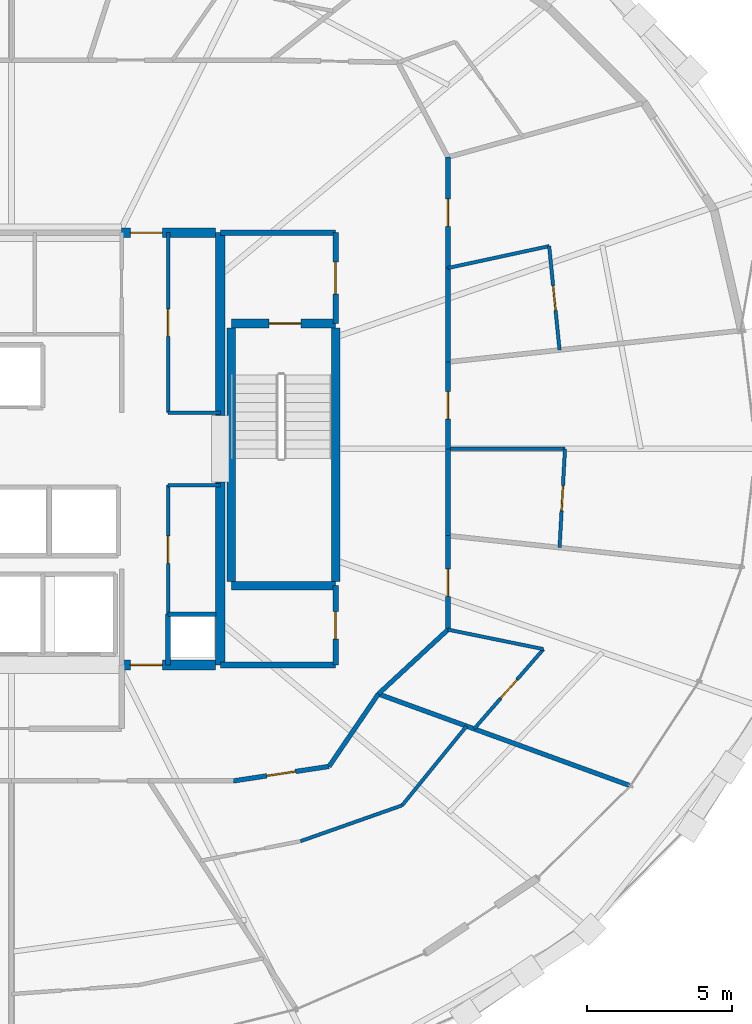
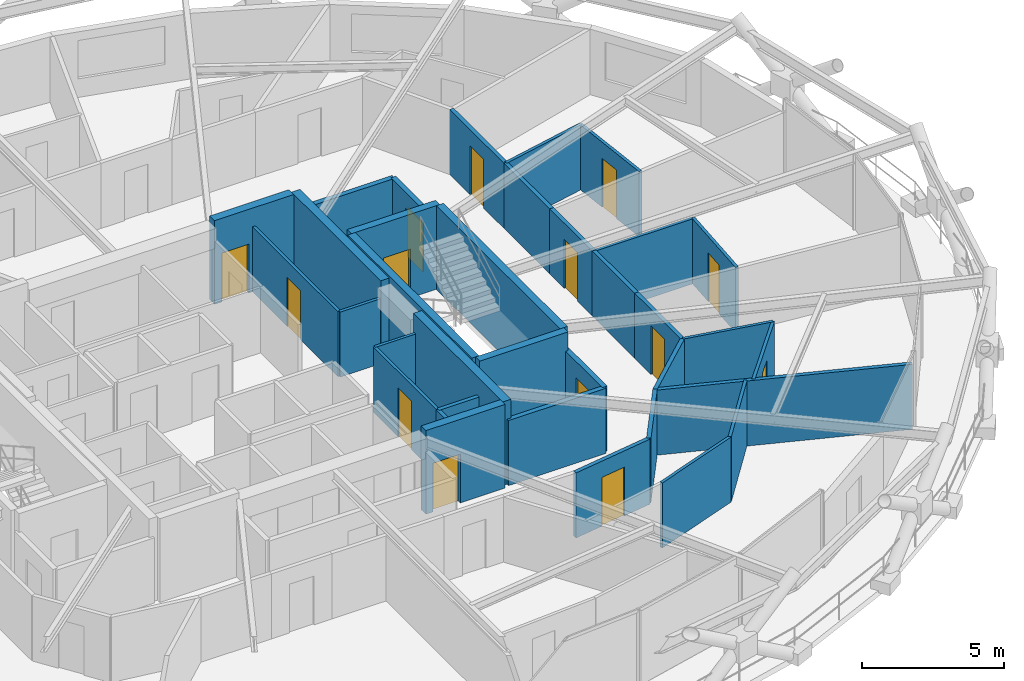
# One storey, part 16 of 19: 35 walls, 14 doors, 14 openings.
"""IFC4 building model written with IfcOpenShell, lengths in metres."""

from ifc_helpers import new_model, si_unit, direction, frame, frame_2d, origin, place, context, subcontext, project, spatial, rectangle, extrude, material, layer, layer_set, type_object, element, fill, save


model = new_model("IFC4")

# Units and contexts
model_context = context("Model", 3, precision=1e-05, world=origin(), true_north=direction((0.0, 1.0)))
body_context = subcontext(model_context, "Body", "Model", "MODEL_VIEW")
ifc_project = project(units=[si_unit("LENGTHUNIT", "METRE"), si_unit("AREAUNIT", "SQUARE_METRE"), si_unit("VOLUMEUNIT", "CUBIC_METRE"), si_unit("PLANEANGLEUNIT", "RADIAN"), si_unit("MASSUNIT", "GRAM", prefix="KILO")], contexts=[model_context])

# Site, building, storey
site_placement = place(None, origin())
site = spatial("IfcSite", under=ifc_project, at=site_placement, CompositionType="ELEMENT")
building_placement = place(site_placement, origin())
building = spatial("IfcBuilding", under=site, at=building_placement, Name="Veldorina Hangang Commons", CompositionType="ELEMENT")
storey_placement = place(building_placement, frame((0.0, 0.0, 160.39990234375)))
storey = spatial("IfcBuildingStorey", under=building, at=storey_placement, Name="L41", CompositionType="ELEMENT", Elevation=160.39990234375)

# Walls
ifc_material_1 = material(Name="Concrete C60/75", Category="concrete")
ifc_layer_1 = layer(ifc_material_1, 0.340087890625)
ifc_layer_set_1 = layer_set([ifc_layer_1], Name="Concrete C60/75")
wall_type_1 = type_object("IfcWallType", Name="CW-RC340-C60", PredefinedType="SHEAR", material=ifc_layer_set_1)
for number, where, z_axis, x_axis, name in (
    (1, (39.199951171875, 16.550048828125, 0.0), (0.0, 0.0, 1.0), (0.0, 1.0, 0.0), "L41 E south core shear wall"),
    (2, (39.199951171875, 25.14990234375, 0.0), (0.0, 0.0, 1.0), (0.0, 1.0, 0.0), "L41 E north core shear wall"),
):
    element("IfcWall", number, at=place(storey_placement, frame(where, z_axis=z_axis, x_axis=x_axis)), inside=storey, type_object=wall_type_1, Name=name, PredefinedType="SHEAR", context=body_context, shape_type="SweptSolid", body=[
        extrude(rectangle(XDim=6.300048828125, YDim=0.340087890625, at=frame_2d((3.14990234375, 0.0))), origin(), (0.0, 0.0, 1.0), 3.60009765625),
    ])

# Wall, opening, door
wall_1_placement = place(storey_placement, frame((35.800048828125, 16.550048828125, 0.0), z_axis=(0.0, 0.0, 1.0), x_axis=(1.0, 0.0, 0.0)))
wall_1 = element("IfcWall", 3, at=wall_1_placement, inside=storey, type_object=wall_type_1, Name="L41 south-east core shear wall", PredefinedType="SHEAR", context=body_context, shape_type="SweptSolid", body=[
    extrude(rectangle(XDim=3.22998046875, YDim=0.340087890625, at=frame_2d((1.614990234375, 0.0))), origin(), (0.0, 0.0, 1.0), 3.60009765625),
])
opening_1_placement = place(wall_1_placement, frame((0.300048828125, 0.0, 0.0)))
opening_1 = element("IfcOpeningElement", 4, at=opening_1_placement, cuts=wall_1, Name="Opening D-08", PredefinedType="OPENING", context=body_context, shape_type="SweptSolid", body=[
    extrude(rectangle(XDim=1.10009765625, YDim=2.10009765625, at=frame_2d((0.550048828125, 1.050048828125))), frame((0.0, 0.18017578125, 0.0), z_axis=(0.0, -1.0, 0.0), x_axis=(1.0, 0.0, 0.0)), (0.0, 0.0, 1.0), 0.360107421875),
])
ifc_material_2 = material(Name="Steel Fire-Rated Smoke Seal", Category="steel")
door_type_1 = type_object("IfcDoorType", Name="DR-FIRE-1100", OperationType="SINGLE_SWING_RIGHT", PredefinedType="DOOR", material=ifc_material_2)
door_1_placement = place(opening_1_placement, origin())
door_1 = element("IfcDoor", 5, at=door_1_placement, inside=storey, type_object=door_type_1, Name="L41 central lift lobby south corridor door", OperationType="SINGLE_SWING_RIGHT", OverallHeight=2.10009765625, OverallWidth=1.10009765625, PredefinedType="DOOR", context=body_context, shape_type="SweptSolid", body=[
    extrude(rectangle(XDim=1.10009765625, YDim=2.10009765625, at=frame_2d((0.550048828125, 1.050048828125))), frame((0.0, 0.02490234375, 0.0), z_axis=(0.0, -1.0, 0.0), x_axis=(1.0, 0.0, 0.0)), (0.0, 0.0, 1.0), 0.050048828125),
])
fill(opening_1, door_1)

wall_2_placement = place(storey_placement, frame((35.800048828125, 31.449951171875, 0.0), z_axis=(0.0, 0.0, 1.0), x_axis=(1.0, 0.0, 0.0)))
wall_2 = element("IfcWall", 6, at=wall_2_placement, inside=storey, type_object=wall_type_1, Name="L41 north-east core shear wall", PredefinedType="SHEAR", context=body_context, shape_type="SweptSolid", body=[
    extrude(rectangle(XDim=3.22998046875, YDim=0.340087890625, at=frame_2d((1.614990234375, 0.0))), origin(), (0.0, 0.0, 1.0), 3.60009765625),
])
opening_2_placement = place(wall_2_placement, frame((0.300048828125, 0.0, 0.0)))
opening_2 = element("IfcOpeningElement", 7, at=opening_2_placement, cuts=wall_2, Name="Opening D-08", PredefinedType="OPENING", context=body_context, shape_type="SweptSolid", body=[
    extrude(rectangle(XDim=1.10009765625, YDim=2.10009765625, at=frame_2d((0.550048828125, 1.050048828125))), frame((0.0, 0.18017578125, 0.0), z_axis=(0.0, -1.0, 0.0), x_axis=(1.0, 0.0, 0.0)), (0.0, 0.0, 1.0), 0.360107421875),
])
door_2_placement = place(opening_2_placement, origin())
door_2 = element("IfcDoor", 8, at=door_2_placement, inside=storey, type_object=door_type_1, Name="L41 central lift lobby north corridor door", OperationType="SINGLE_SWING_LEFT", OverallHeight=2.10009765625, OverallWidth=1.10009765625, PredefinedType="DOOR", context=body_context, shape_type="SweptSolid", body=[
    extrude(rectangle(XDim=1.10009765625, YDim=2.10009765625, at=frame_2d((0.550048828125, 1.050048828125))), frame((0.0, 0.02490234375, 0.0), z_axis=(0.0, -1.0, 0.0), x_axis=(1.0, 0.0, 0.0)), (0.0, 0.0, 1.0), 0.050048828125),
])
fill(opening_2, door_2)

# Walls
ifc_material_3 = material(Name="Concrete C50/60", Category="concrete")
ifc_layer_2 = layer(ifc_material_3, 0.300048828125)
ifc_layer_set_2 = layer_set([ifc_layer_2], Name="Concrete C50/60")
wall_type_2 = type_object("IfcWallType", Name="SW-STAIR-300", PredefinedType="SHEAR", material=ifc_layer_set_2)
for number, where, z_axis, x_axis, name in (
    (9, (43.179931640625, 19.429931640625, 0.0), (0.0, 0.0, 1.0), (0.0, 1.0, 0.0), "L41 ST2 outer stair shear wall"),
    (10, (39.580078125, 19.429931640625, 0.0), (0.0, 0.0, 1.0), (0.0, 1.0, 0.0), "L41 ST2 inner stair shear wall"),
):
    element("IfcWall", number, at=place(storey_placement, frame(where, z_axis=z_axis, x_axis=x_axis)), inside=storey, type_object=wall_type_2, Name=name, PredefinedType="SHEAR", context=body_context, shape_type="SweptSolid", body=[
        extrude(rectangle(XDim=8.739990234375, YDim=0.300048828125, at=frame_2d((4.3701171875, 0.0))), origin(), (0.0, 0.0, 1.0), 3.60009765625),
    ])
wall_3_placement = place(storey_placement, frame((39.580078125, 19.280029296875, 0.0), z_axis=(0.0, 0.0, 1.0), x_axis=(1.0, 0.0, 0.0)))
element("IfcWall", 11, at=wall_3_placement, inside=storey, type_object=wall_type_2, Name="L41 ST2 south stair shear wall", PredefinedType="SHEAR", context=body_context, shape_type="SweptSolid", body=[
    extrude(rectangle(XDim=3.599853515625, YDim=0.300048828125, at=frame_2d((1.7998046875, 0.0))), origin(), (0.0, 0.0, 1.0), 3.60009765625),
])

# Wall, opening, door
wall_4_placement = place(storey_placement, frame((39.580078125, 28.320068359375, 0.0), z_axis=(0.0, 0.0, 1.0), x_axis=(1.0, 0.0, 0.0)))
wall_4 = element("IfcWall", 12, at=wall_4_placement, inside=storey, type_object=wall_type_2, Name="L41 ST2 north stair shear wall", PredefinedType="SHEAR", context=body_context, shape_type="SweptSolid", body=[
    extrude(rectangle(XDim=3.599853515625, YDim=0.300048828125, at=frame_2d((1.7998046875, 0.0))), origin(), (0.0, 0.0, 1.0), 3.60009765625),
])
opening_3_placement = place(wall_4_placement, frame((1.300048828125, 0.0, 0.0)))
opening_3 = element("IfcOpeningElement", 13, at=opening_3_placement, cuts=wall_4, Name="Opening D-08", PredefinedType="OPENING", context=body_context, shape_type="SweptSolid", body=[
    extrude(rectangle(XDim=1.10009765625, YDim=2.10009765625, at=frame_2d((0.550048828125, 1.050048828125))), frame((0.0, 0.16015625, 0.0), z_axis=(0.0, -1.0, 0.0), x_axis=(1.0, 0.0, 0.0)), (0.0, 0.0, 1.0), 0.320068359375),
])
door_3_placement = place(opening_3_placement, origin())
door_3 = element("IfcDoor", 14, at=door_3_placement, inside=storey, type_object=door_type_1, Name="L41 Special Escape Stair ST-2 door", OperationType="SINGLE_SWING_RIGHT", OverallHeight=2.10009765625, OverallWidth=1.10009765625, PredefinedType="DOOR", context=body_context, shape_type="SweptSolid", body=[
    extrude(rectangle(XDim=1.10009765625, YDim=2.10009765625, at=frame_2d((0.550048828125, 1.050048828125))), frame((0.0, 0.02490234375, 0.0), z_axis=(0.0, -1.0, 0.0), x_axis=(1.0, 0.0, 0.0)), (0.0, 0.0, 1.0), 0.050048828125),
])
fill(opening_3, door_3)

# Walls
ifc_material_4 = material(Name="Gypsum Fire-Rated Twin Stud Wall", Category="gypsum")
ifc_layer_3 = layer(ifc_material_4, 0.159912109375)
ifc_layer_set_3 = layer_set([ifc_layer_3], Name="Gypsum Fire-Rated Twin Stud Wall")
wall_type_3 = type_object("IfcWallType", Name="WL-FIRE-160", PredefinedType="SOLIDWALL", material=ifc_layer_set_3)
wall_5_placement = place(storey_placement, frame((37.39990234375, 16.550048828125, 0.0), z_axis=(0.0, 0.0, 1.0), x_axis=(0.0, 1.0, 0.0)))
element("IfcWall", 15, at=wall_5_placement, inside=storey, type_object=wall_type_3, Name="L41 Lift passage SE stub 010", PredefinedType="SOLIDWALL", context=body_context, shape_type="SweptSolid", body=[
    extrude(rectangle(XDim=1.75, YDim=0.159912109375, at=frame_2d((0.875, 0.0))), origin(), (0.0, 0.0, 1.0), 2.800048828125),
])
wall_6_placement = place(storey_placement, frame((37.39990234375, 18.300048828125, 0.0), z_axis=(0.0, 0.0, 1.0), x_axis=(1.0, 0.0, 0.0)))
element("IfcWall", 16, at=wall_6_placement, inside=storey, type_object=wall_type_3, Name="L41 Plumbing riser wall 037", PredefinedType="SOLIDWALL", context=body_context, shape_type="SweptSolid", body=[
    extrude(rectangle(XDim=1.650146484375, YDim=0.159912109375, at=frame_2d((0.8251953125, 0.0))), origin(), (0.0, 0.0, 1.0), 2.800048828125),
])

# Wall, opening, door
wall_7_placement = place(storey_placement, frame((47.050048828125, 24.0, 0.0), z_axis=(0.0, 0.0, 1.0), x_axis=(0.0, 1.0, 0.0)))
wall_7 = element("IfcWall", 17, at=wall_7_placement, inside=storey, type_object=wall_type_3, Name="L41 U-corridor outer wall 00 048", PredefinedType="SOLIDWALL", context=body_context, shape_type="SweptSolid", body=[
    extrude(rectangle(XDim=2.99365234375, YDim=0.159912109375, at=frame_2d((1.496826171875, 0.0))), origin(), (0.0, 0.0, 1.0), 2.800048828125),
])
opening_4_placement = place(wall_7_placement, frame((1.021728515625, 0.0, 0.0)))
opening_4 = element("IfcOpeningElement", 18, at=opening_4_placement, cuts=wall_7, Name="Opening D-03", PredefinedType="OPENING", context=body_context, shape_type="SweptSolid", body=[
    extrude(rectangle(XDim=0.949951171875, YDim=2.10009765625, at=frame_2d((0.47509765625, 1.050048828125))), frame((0.0, 0.08984375, 0.0), z_axis=(0.0, -1.0, 0.0), x_axis=(1.0, 0.0, 0.0)), (0.0, 0.0, 1.0), 0.179931640625),
])
ifc_material_5 = material(Name="Timber Fire-Rated Entrance Core", Category="wood")
door_type_2 = type_object("IfcDoorType", Name="DR-UNIT-950", OperationType="SINGLE_SWING_RIGHT", PredefinedType="DOOR", material=ifc_material_5)
door_4_placement = place(opening_4_placement, origin())
door_4 = element("IfcDoor", 19, at=door_4_placement, inside=storey, type_object=door_type_2, Name="L41 Studio 3 entrance door 025", OperationType="SINGLE_SWING_LEFT", OverallHeight=2.10009765625, OverallWidth=0.949951171875, PredefinedType="DOOR", context=body_context, shape_type="SweptSolid", body=[
    extrude(rectangle(XDim=0.949951171875, YDim=2.10009765625, at=frame_2d((0.47509765625, 1.050048828125))), frame((0.0, 0.02490234375, 0.0), z_axis=(0.0, -1.0, 0.0), x_axis=(1.0, 0.0, 0.0)), (0.0, 0.0, 1.0), 0.050048828125),
])
fill(opening_4, door_4)

# Wall
wall_8_placement = place(storey_placement, frame((47.050048828125, 26.99365234375, 0.0), z_axis=(0.0, 0.0, 1.0), x_axis=(0.0, 1.0, 0.0)))
element("IfcWall", 20, at=wall_8_placement, inside=storey, type_object=wall_type_3, Name="L41 U-corridor outer wall 01 049", PredefinedType="SOLIDWALL", context=body_context, shape_type="SweptSolid", body=[
    extrude(rectangle(XDim=3.240234375, YDim=0.159912109375, at=frame_2d((1.6201171875, 0.0))), origin(), (0.0, 0.0, 1.0), 2.800048828125),
])

# Wall, opening, door
wall_9_placement = place(storey_placement, frame((47.050048828125, 30.23388671875, 0.0), z_axis=(0.0, 0.0, 1.0), x_axis=(0.0, 1.0, 0.0)))
wall_9 = element("IfcWall", 21, at=wall_9_placement, inside=storey, type_object=wall_type_3, Name="L41 U-corridor outer wall 02 050", PredefinedType="SOLIDWALL", context=body_context, shape_type="SweptSolid", body=[
    extrude(rectangle(XDim=3.822265625, YDim=0.159912109375, at=frame_2d((1.9111328125, 0.0))), origin(), (0.0, 0.0, 1.0), 2.800048828125),
])
opening_5_placement = place(wall_9_placement, frame((1.43603515625, 0.0, 0.0)))
opening_5 = element("IfcOpeningElement", 22, at=opening_5_placement, cuts=wall_9, Name="Opening D-03", PredefinedType="OPENING", context=body_context, shape_type="SweptSolid", body=[
    extrude(rectangle(XDim=0.949951171875, YDim=2.10009765625, at=frame_2d((0.47509765625, 1.050048828125))), frame((0.0, 0.08984375, 0.0), z_axis=(0.0, -1.0, 0.0), x_axis=(1.0, 0.0, 0.0)), (0.0, 0.0, 1.0), 0.179931640625),
])
door_5_placement = place(opening_5_placement, origin())
door_5 = element("IfcDoor", 23, at=door_5_placement, inside=storey, type_object=door_type_2, Name="L41 Studio 4 entrance door 027", OperationType="SINGLE_SWING_LEFT", OverallHeight=2.10009765625, OverallWidth=0.949951171875, PredefinedType="DOOR", context=body_context, shape_type="SweptSolid", body=[
    extrude(rectangle(XDim=0.949951171875, YDim=2.10009765625, at=frame_2d((0.47509765625, 1.050048828125))), frame((0.0, 0.02490234375, 0.0), z_axis=(0.0, -1.0, 0.0), x_axis=(1.0, 0.0, 0.0)), (0.0, 0.0, 1.0), 0.050048828125),
])
fill(opening_5, door_5)

wall_10_placement = place(storey_placement, frame((39.650634765625, 12.550048828125, 0.0), z_axis=(0.0, 0.0, 1.0), x_axis=(0.988710906508, 0.149835721217, 0.0)))
wall_10 = element("IfcWall", 24, at=wall_10_placement, inside=storey, type_object=wall_type_3, Name="L41 U-corridor outer wall 27 075", PredefinedType="SOLIDWALL", context=body_context, shape_type="SweptSolid", body=[
    extrude(rectangle(XDim=3.3369140625, YDim=0.159912109375, at=frame_2d((1.66845703125, 0.0))), origin(), (0.0, 0.0, 1.0), 2.800048828125),
])
opening_6_placement = place(wall_10_placement, frame((1.16845703125, 0.0, 0.0)))
opening_6 = element("IfcOpeningElement", 25, at=opening_6_placement, cuts=wall_10, Name="Opening D-05", PredefinedType="OPENING", context=body_context, shape_type="SweptSolid", body=[
    extrude(rectangle(XDim=1.0, YDim=2.10009765625, at=frame_2d((0.5, 1.050048828125))), frame((0.0, 0.08984375, 0.0), z_axis=(0.0, -1.0, 0.0), x_axis=(1.0, 0.0, 0.0)), (0.0, 0.0, 1.0), 0.179931640625),
])
ifc_material_6 = material(Name="Timber Solid Core Acoustic", Category="wood")
door_type_3 = type_object("IfcDoorType", Name="DR-INT-1000", OperationType="SINGLE_SWING_RIGHT", PredefinedType="DOOR", material=ifc_material_6)
door_6_placement = place(opening_6_placement, origin())
door_6 = element("IfcDoor", 26, at=door_6_placement, inside=storey, type_object=door_type_3, Name="L41 Commons alcove door 020", OperationType="SINGLE_SWING_RIGHT", OverallHeight=2.10009765625, OverallWidth=1.0, PredefinedType="DOOR", context=body_context, shape_type="SweptSolid", body=[
    extrude(rectangle(XDim=1.0, YDim=2.10009765625, at=frame_2d((0.5, 1.050048828125))), frame((0.0, 0.02490234375, 0.0), z_axis=(0.0, -1.0, 0.0), x_axis=(1.0, 0.0, 0.0)), (0.0, 0.0, 1.0), 0.050048828125),
])
fill(opening_6, door_6)

# Walls
wall_11_placement = place(storey_placement, frame((42.949951171875, 13.050048828125, 0.0), z_axis=(0.0, 0.0, 1.0), x_axis=(0.562674669208, 0.826678423955, 0.0)))
element("IfcWall", 27, at=wall_11_placement, inside=storey, type_object=wall_type_3, Name="L41 U-corridor outer wall 28 076", PredefinedType="SOLIDWALL", context=body_context, shape_type="SweptSolid", body=[
    extrude(rectangle(XDim=3.021240234375, YDim=0.159912109375, at=frame_2d((1.5107421875, 0.0))), origin(), (0.0, 0.0, 1.0), 2.800048828125),
])
wall_12_placement = place(storey_placement, frame((44.64990234375, 15.547607421875, 0.0), z_axis=(0.0, 0.0, 1.0), x_axis=(0.734347936521, 0.678773237633, 0.0)))
element("IfcWall", 28, at=wall_12_placement, inside=storey, type_object=wall_type_3, Name="L41 U-corridor outer wall 29 077", PredefinedType="SOLIDWALL", context=body_context, shape_type="SweptSolid", body=[
    extrude(rectangle(XDim=3.268310546875, YDim=0.159912109375, at=frame_2d((1.63427734375, 0.0))), origin(), (0.0, 0.0, 1.0), 2.800048828125),
])

# Wall, opening, door
wall_13_placement = place(storey_placement, frame((47.050048828125, 17.76611328125, 0.0), z_axis=(0.0, 0.0, 1.0), x_axis=(0.0, 1.0, 0.0)))
wall_13 = element("IfcWall", 29, at=wall_13_placement, inside=storey, type_object=wall_type_3, Name="L41 U-corridor outer wall 30 078", PredefinedType="SOLIDWALL", context=body_context, shape_type="SweptSolid", body=[
    extrude(rectangle(XDim=3.240234375, YDim=0.159912109375, at=frame_2d((1.6201171875, 0.0))), origin(), (0.0, 0.0, 1.0), 2.800048828125),
])
opening_7_placement = place(wall_13_placement, frame((1.145263671875, 0.0, 0.0)))
opening_7 = element("IfcOpeningElement", 30, at=opening_7_placement, cuts=wall_13, Name="Opening D-03", PredefinedType="OPENING", context=body_context, shape_type="SweptSolid", body=[
    extrude(rectangle(XDim=0.949951171875, YDim=2.10009765625, at=frame_2d((0.47509765625, 1.050048828125))), frame((0.0, 0.08984375, 0.0), z_axis=(0.0, -1.0, 0.0), x_axis=(1.0, 0.0, 0.0)), (0.0, 0.0, 1.0), 0.179931640625),
])
door_7_placement = place(opening_7_placement, origin())
door_7 = element("IfcDoor", 31, at=door_7_placement, inside=storey, type_object=door_type_2, Name="L41 Studio 2 entrance door 023", OperationType="SINGLE_SWING_LEFT", OverallHeight=2.10009765625, OverallWidth=0.949951171875, PredefinedType="DOOR", context=body_context, shape_type="SweptSolid", body=[
    extrude(rectangle(XDim=0.949951171875, YDim=2.10009765625, at=frame_2d((0.47509765625, 1.050048828125))), frame((0.0, 0.02490234375, 0.0), z_axis=(0.0, -1.0, 0.0), x_axis=(1.0, 0.0, 0.0)), (0.0, 0.0, 1.0), 0.050048828125),
])
fill(opening_7, door_7)

# Walls
wall_14_placement = place(storey_placement, frame((47.050048828125, 21.00634765625, 0.0), z_axis=(0.0, 0.0, 1.0), x_axis=(0.0, 1.0, 0.0)))
element("IfcWall", 32, at=wall_14_placement, inside=storey, type_object=wall_type_3, Name="L41 U-corridor outer wall 31 079", PredefinedType="SOLIDWALL", context=body_context, shape_type="SweptSolid", body=[
    extrude(rectangle(XDim=2.99365234375, YDim=0.159912109375, at=frame_2d((1.496826171875, 0.0))), origin(), (0.0, 0.0, 1.0), 2.800048828125),
])
wall_15_placement = place(storey_placement, frame((44.64990234375, 15.547607421875, 0.0), z_axis=(0.0, 0.0, 1.0), x_axis=(0.93962985892, -0.342192530934, 0.0)))
element("IfcWall", 33, at=wall_15_placement, inside=storey, type_object=wall_type_3, Name="L41 Unit party wall 29 084", PredefinedType="SOLIDWALL", context=body_context, shape_type="SweptSolid", body=[
    extrude(rectangle(XDim=9.201416015625, YDim=0.159912109375, at=frame_2d((4.6005859375, 0.0))), origin(), (0.0, 0.0, 1.0), 2.800048828125),
])

# Wall, opening, door
ifc_material_7 = material(Name="Concrete Blockwork Fire Wall C30/37", Category="masonry")
ifc_layer_4 = layer(ifc_material_7, 0.199951171875)
ifc_layer_set_4 = layer_set([ifc_layer_4], Name="Concrete Blockwork Fire Wall C30/37")
wall_type_4 = type_object("IfcWallType", Name="WL-FIRE-200", PredefinedType="SOLIDWALL", material=ifc_layer_set_4)
wall_16_placement = place(storey_placement, frame((43.179931640625, 28.320068359375, 0.0), z_axis=(0.0, 0.0, 1.0), x_axis=(0.0, 1.0, 0.0)))
wall_16 = element("IfcWall", 34, at=wall_16_placement, inside=storey, type_object=wall_type_4, Name="L41 East vestibule outer wall 003", PredefinedType="SOLIDWALL", context=body_context, shape_type="SweptSolid", body=[
    extrude(rectangle(XDim=3.1298828125, YDim=0.199951171875, at=frame_2d((1.56494140625, 0.0))), origin(), (0.0, 0.0, 1.0), 2.800048828125),
])
opening_8_placement = place(wall_16_placement, frame((1.014892578125, 0.0, 0.0)))
opening_8 = element("IfcOpeningElement", 35, at=opening_8_placement, cuts=wall_16, Name="Opening D-08", PredefinedType="OPENING", context=body_context, shape_type="SweptSolid", body=[
    extrude(rectangle(XDim=1.10009765625, YDim=2.10009765625, at=frame_2d((0.550048828125, 1.050048828125))), frame((0.0, 0.10986328125, 0.0), z_axis=(0.0, -1.0, 0.0), x_axis=(1.0, 0.0, 0.0)), (0.0, 0.0, 1.0), 0.219970703125),
])
door_8_placement = place(opening_8_placement, origin())
door_8 = element("IfcDoor", 36, at=door_8_placement, inside=storey, type_object=door_type_1, Name="L41 East vestibule east door 002", OperationType="SINGLE_SWING_RIGHT", OverallHeight=2.10009765625, OverallWidth=1.10009765625, PredefinedType="DOOR", context=body_context, shape_type="SweptSolid", body=[
    extrude(rectangle(XDim=1.10009765625, YDim=2.10009765625, at=frame_2d((0.550048828125, 1.050048828125))), frame((0.0, 0.02490234375, 0.0), z_axis=(0.0, -1.0, 0.0), x_axis=(1.0, 0.0, 0.0)), (0.0, 0.0, 1.0), 0.050048828125),
])
fill(opening_8, door_8)

# Wall
wall_17_placement = place(storey_placement, frame((39.199951171875, 31.449951171875, 0.0), z_axis=(0.0, 0.0, 1.0), x_axis=(1.0, 0.0, 0.0)))
element("IfcWall", 37, at=wall_17_placement, inside=storey, type_object=wall_type_4, Name="L41 East vestibule north wall 004", PredefinedType="SOLIDWALL", context=body_context, shape_type="SweptSolid", body=[
    extrude(rectangle(XDim=3.97998046875, YDim=0.199951171875, at=frame_2d((1.989990234375, 0.0))), origin(), (0.0, 0.0, 1.0), 2.800048828125),
])

# Wall, opening, door
wall_18_placement = place(storey_placement, frame((43.179931640625, 16.550048828125, 0.0), z_axis=(0.0, 0.0, 1.0), x_axis=(0.0, 1.0, 0.0)))
wall_18 = element("IfcWall", 38, at=wall_18_placement, inside=storey, type_object=wall_type_4, Name="L41 SE core room outer wall 007", PredefinedType="SOLIDWALL", context=body_context, shape_type="SweptSolid", body=[
    extrude(rectangle(XDim=2.72998046875, YDim=0.199951171875, at=frame_2d((1.364990234375, 0.0))), origin(), (0.0, 0.0, 1.0), 2.800048828125),
])
opening_9_placement = place(wall_18_placement, frame((0.889892578125, 0.0, 0.0)))
opening_9 = element("IfcOpeningElement", 39, at=opening_9_placement, cuts=wall_18, Name="Opening D-02", PredefinedType="OPENING", context=body_context, shape_type="SweptSolid", body=[
    extrude(rectangle(XDim=0.949951171875, YDim=2.10009765625, at=frame_2d((0.47509765625, 1.050048828125))), frame((0.0, 0.10986328125, 0.0), z_axis=(0.0, -1.0, 0.0), x_axis=(1.0, 0.0, 0.0)), (0.0, 0.0, 1.0), 0.219970703125),
])
door_type_4 = type_object("IfcDoorType", Name="DR-INT-950", OperationType="SINGLE_SWING_LEFT", PredefinedType="DOOR", material=ifc_material_6)
door_9_placement = place(opening_9_placement, origin())
door_9 = element("IfcDoor", 40, at=door_9_placement, inside=storey, type_object=door_type_4, Name="L41 SE core WC door 004", OperationType="SINGLE_SWING_RIGHT", OverallHeight=2.10009765625, OverallWidth=0.949951171875, PredefinedType="DOOR", context=body_context, shape_type="SweptSolid", body=[
    extrude(rectangle(XDim=0.949951171875, YDim=2.10009765625, at=frame_2d((0.47509765625, 1.050048828125))), frame((0.0, 0.02490234375, 0.0), z_axis=(0.0, -1.0, 0.0), x_axis=(1.0, 0.0, 0.0)), (0.0, 0.0, 1.0), 0.050048828125),
])
fill(opening_9, door_9)

# Wall
wall_19_placement = place(storey_placement, frame((39.199951171875, 16.550048828125, 0.0), z_axis=(0.0, 0.0, 1.0), x_axis=(1.0, 0.0, 0.0)))
element("IfcWall", 41, at=wall_19_placement, inside=storey, type_object=wall_type_4, Name="L41 SE core room south wall 008", PredefinedType="SOLIDWALL", context=body_context, shape_type="SweptSolid", body=[
    extrude(rectangle(XDim=3.97998046875, YDim=0.199951171875, at=frame_2d((1.989990234375, 0.0))), origin(), (0.0, 0.0, 1.0), 2.800048828125),
])

# Wall, opening, door
ifc_material_8 = material(Name="Gypsum Acoustic Stud Partition", Category="gypsum")
ifc_layer_5 = layer(ifc_material_8, 0.1201171875)
ifc_layer_set_5 = layer_set([ifc_layer_5], Name="Gypsum Acoustic Stud Partition")
wall_type_5 = type_object("IfcWallType", Name="WL-PART-120", PredefinedType="PARTITIONING", material=ifc_layer_set_5)
wall_20_placement = place(storey_placement, frame((37.39990234375, 25.25, 0.0), z_axis=(0.0, 0.0, 1.0), x_axis=(0.0, 1.0, 0.0)))
wall_20 = element("IfcWall", 42, at=wall_20_placement, inside=storey, type_object=wall_type_5, Name="L41 NE strip lobby wall 041", PredefinedType="PARTITIONING", context=body_context, shape_type="SweptSolid", body=[
    extrude(rectangle(XDim=6.199951171875, YDim=0.1201171875, at=frame_2d((3.10009765625, 0.0))), origin(), (0.0, 0.0, 1.0), 2.800048828125),
])
opening_10_placement = place(wall_20_placement, frame((2.625, 0.0, 0.0)))
opening_10 = element("IfcOpeningElement", 43, at=opening_10_placement, cuts=wall_20, Name="Opening D-02", PredefinedType="OPENING", context=body_context, shape_type="SweptSolid", body=[
    extrude(rectangle(XDim=0.949951171875, YDim=2.10009765625, at=frame_2d((0.47509765625, 1.050048828125))), frame((0.0, 0.070068359375, 0.0), z_axis=(0.0, -1.0, 0.0), x_axis=(1.0, 0.0, 0.0)), (0.0, 0.0, 1.0), 0.14013671875),
])
door_10_placement = place(opening_10_placement, origin())
door_10 = element("IfcDoor", 44, at=door_10_placement, inside=storey, type_object=door_type_4, Name="L41 Switchboard door 018", OperationType="SINGLE_SWING_RIGHT", OverallHeight=2.10009765625, OverallWidth=0.949951171875, PredefinedType="DOOR", context=body_context, shape_type="SweptSolid", body=[
    extrude(rectangle(XDim=0.949951171875, YDim=2.10009765625, at=frame_2d((0.47509765625, 1.050048828125))), frame((0.0, 0.02490234375, 0.0), z_axis=(0.0, -1.0, 0.0), x_axis=(1.0, 0.0, 0.0)), (0.0, 0.0, 1.0), 0.050048828125),
])
fill(opening_10, door_10)

# Wall
wall_21_placement = place(storey_placement, frame((37.39990234375, 25.25, 0.0), z_axis=(0.0, 0.0, 1.0), x_axis=(1.0, 0.0, 0.0)))
element("IfcWall", 45, at=wall_21_placement, inside=storey, type_object=wall_type_5, Name="L41 NE strip south return wall 042", PredefinedType="PARTITIONING", context=body_context, shape_type="SweptSolid", body=[
    extrude(rectangle(XDim=1.800048828125, YDim=0.1201171875, at=frame_2d((0.89990234375, 0.0))), origin(), (0.0, 0.0, 1.0), 2.800048828125),
])

# Wall, opening, door
wall_22_placement = place(storey_placement, frame((37.39990234375, 18.300048828125, 0.0), z_axis=(0.0, 0.0, 1.0), x_axis=(0.0, 1.0, 0.0)))
wall_22 = element("IfcWall", 46, at=wall_22_placement, inside=storey, type_object=wall_type_5, Name="L41 SE strip lobby wall 043", PredefinedType="PARTITIONING", context=body_context, shape_type="SweptSolid", body=[
    extrude(rectangle(XDim=4.449951171875, YDim=0.1201171875, at=frame_2d((2.22509765625, 0.0))), origin(), (0.0, 0.0, 1.0), 2.800048828125),
])
opening_11_placement = place(wall_22_placement, frame((1.75, 0.0, 0.0)))
opening_11 = element("IfcOpeningElement", 47, at=opening_11_placement, cuts=wall_22, Name="Opening D-02", PredefinedType="OPENING", context=body_context, shape_type="SweptSolid", body=[
    extrude(rectangle(XDim=0.949951171875, YDim=2.10009765625, at=frame_2d((0.47509765625, 1.050048828125))), frame((0.0, 0.070068359375, 0.0), z_axis=(0.0, -1.0, 0.0), x_axis=(1.0, 0.0, 0.0)), (0.0, 0.0, 1.0), 0.14013671875),
])
door_11_placement = place(opening_11_placement, origin())
door_11 = element("IfcDoor", 48, at=door_11_placement, inside=storey, type_object=door_type_4, Name="L41 Telemetry door 019", OperationType="SINGLE_SWING_LEFT", OverallHeight=2.10009765625, OverallWidth=0.949951171875, PredefinedType="DOOR", context=body_context, shape_type="SweptSolid", body=[
    extrude(rectangle(XDim=0.949951171875, YDim=2.10009765625, at=frame_2d((0.47509765625, 1.050048828125))), frame((0.0, 0.02490234375, 0.0), z_axis=(0.0, -1.0, 0.0), x_axis=(1.0, 0.0, 0.0)), (0.0, 0.0, 1.0), 0.050048828125),
])
fill(opening_11, door_11)

# Walls
wall_23_placement = place(storey_placement, frame((37.39990234375, 22.75, 0.0), z_axis=(0.0, 0.0, 1.0), x_axis=(1.0, 0.0, 0.0)))
element("IfcWall", 49, at=wall_23_placement, inside=storey, type_object=wall_type_5, Name="L41 SE strip north return wall 044", PredefinedType="PARTITIONING", context=body_context, shape_type="SweptSolid", body=[
    extrude(rectangle(XDim=1.800048828125, YDim=0.1201171875, at=frame_2d((0.89990234375, 0.0))), origin(), (0.0, 0.0, 1.0), 2.800048828125),
])
wall_24_placement = place(storey_placement, frame((41.964111328125, 10.4716796875, 0.0), z_axis=(0.0, 0.0, 1.0), x_axis=(0.943167221186, 0.33231851119, 0.0)))
element("IfcWall", 50, at=wall_24_placement, inside=storey, type_object=wall_type_5, Name="L41 Lounge alcove split 1 082", PredefinedType="PARTITIONING", context=body_context, shape_type="SweptSolid", body=[
    extrude(rectangle(XDim=3.71728515625, YDim=0.1201171875, at=frame_2d((1.858642578125, 0.0))), origin(), (0.0, 0.0, 1.0), 2.800048828125),
])
wall_25_placement = place(storey_placement, frame((45.47021484375, 11.70703125, 0.0), z_axis=(0.0, 0.0, 1.0), x_axis=(0.630947475779, 0.775825549211, 0.0)))
element("IfcWall", 51, at=wall_25_placement, inside=storey, type_object=wall_type_5, Name="L41 Lounge alcove split 2 083", PredefinedType="PARTITIONING", context=body_context, shape_type="SweptSolid", body=[
    extrude(rectangle(XDim=3.52197265625, YDim=0.1201171875, at=frame_2d((1.760986328125, 0.0))), origin(), (0.0, 0.0, 1.0), 2.800048828125),
])

# Wall, opening, door
wall_26_placement = place(storey_placement, frame((47.953369140625, 14.344482421875, 0.0), z_axis=(0.0, 0.0, 1.0), x_axis=(0.655948037825, 0.754806049044, 0.0)))
wall_26 = element("IfcWall", 52, at=wall_26_placement, inside=storey, type_object=wall_type_5, Name="L41 Studio 2 bath front wall 085", PredefinedType="PARTITIONING", context=body_context, shape_type="SweptSolid", body=[
    extrude(rectangle(XDim=3.642578125, YDim=0.1201171875, at=frame_2d((1.8212890625, 0.0))), origin(), (0.0, 0.0, 1.0), 2.800048828125),
])
opening_12_placement = place(wall_26_placement, frame((1.391357421875, 0.0, 0.0)))
opening_12 = element("IfcOpeningElement", 53, at=opening_12_placement, cuts=wall_26, Name="Opening D-01", PredefinedType="OPENING", context=body_context, shape_type="SweptSolid", body=[
    extrude(rectangle(XDim=0.860107421875, YDim=2.10009765625, at=frame_2d((0.43017578125, 1.050048828125))), frame((0.0, 0.070068359375, 0.0), z_axis=(0.0, -1.0, 0.0), x_axis=(1.0, 0.0, 0.0)), (0.0, 0.0, 1.0), 0.14013671875),
])
ifc_material_9 = material(Name="Timber Moisture-Resistant Core", Category="wood")
door_type_5 = type_object("IfcDoorType", Name="DR-WET-860", OperationType="SINGLE_SWING_LEFT", PredefinedType="DOOR", material=ifc_material_9)
door_12_placement = place(opening_12_placement, origin())
door_12 = element("IfcDoor", 54, at=door_12_placement, inside=storey, type_object=door_type_5, Name="L41 Studio 2 bathroom door 022", OperationType="SINGLE_SWING_RIGHT", OverallHeight=2.10009765625, OverallWidth=0.860107421875, PredefinedType="DOOR", context=body_context, shape_type="SweptSolid", body=[
    extrude(rectangle(XDim=0.860107421875, YDim=2.10009765625, at=frame_2d((0.43017578125, 1.050048828125))), frame((0.0, 0.02490234375, 0.0), z_axis=(0.0, -1.0, 0.0), x_axis=(1.0, 0.0, 0.0)), (0.0, 0.0, 1.0), 0.050048828125),
])
fill(opening_12, door_12)

# Wall
wall_27_placement = place(storey_placement, frame((47.050048828125, 17.76611328125, 0.0), z_axis=(0.0, 0.0, 1.0), x_axis=(0.979796215239, -0.199998441503, 0.0)))
element("IfcWall", 55, at=wall_27_placement, inside=storey, type_object=wall_type_5, Name="L41 Studio 2 bath side wall 086", PredefinedType="PARTITIONING", context=body_context, shape_type="SweptSolid", body=[
    extrude(rectangle(XDim=3.360595703125, YDim=0.1201171875, at=frame_2d((1.68017578125, 0.0))), origin(), (0.0, 0.0, 1.0), 2.800048828125),
])

# Wall, opening, door
wall_28_placement = place(storey_placement, frame((50.897705078125, 20.593505859375, 0.0), z_axis=(0.0, 0.0, 1.0), x_axis=(0.054958737556, 0.998488626458, 0.0)))
wall_28 = element("IfcWall", 56, at=wall_28_placement, inside=storey, type_object=wall_type_5, Name="L41 Studio 3 bath front wall 088", PredefinedType="PARTITIONING", context=body_context, shape_type="SweptSolid", body=[
    extrude(rectangle(XDim=3.41162109375, YDim=0.1201171875, at=frame_2d((1.705810546875, 0.0))), origin(), (0.0, 0.0, 1.0), 2.800048828125),
])
opening_13_placement = place(wall_28_placement, frame((1.27587890625, 0.0, 0.0)))
opening_13 = element("IfcOpeningElement", 57, at=opening_13_placement, cuts=wall_28, Name="Opening D-01", PredefinedType="OPENING", context=body_context, shape_type="SweptSolid", body=[
    extrude(rectangle(XDim=0.860107421875, YDim=2.10009765625, at=frame_2d((0.43017578125, 1.050048828125))), frame((0.0, 0.070068359375, 0.0), z_axis=(0.0, -1.0, 0.0), x_axis=(1.0, 0.0, 0.0)), (0.0, 0.0, 1.0), 0.14013671875),
])
door_13_placement = place(opening_13_placement, origin())
door_13 = element("IfcDoor", 58, at=door_13_placement, inside=storey, type_object=door_type_5, Name="L41 Studio 3 bathroom door 024", OperationType="SINGLE_SWING_RIGHT", OverallHeight=2.10009765625, OverallWidth=0.860107421875, PredefinedType="DOOR", context=body_context, shape_type="SweptSolid", body=[
    extrude(rectangle(XDim=0.860107421875, YDim=2.10009765625, at=frame_2d((0.43017578125, 1.050048828125))), frame((0.0, 0.02490234375, 0.0), z_axis=(0.0, -1.0, 0.0), x_axis=(1.0, 0.0, 0.0)), (0.0, 0.0, 1.0), 0.050048828125),
])
fill(opening_13, door_13)

# Wall
wall_29_placement = place(storey_placement, frame((47.050048828125, 24.0, 0.0), z_axis=(0.0, 0.0, 1.0), x_axis=(1.0, 0.0, 0.0)))
element("IfcWall", 59, at=wall_29_placement, inside=storey, type_object=wall_type_5, Name="L41 Studio 3 bath side wall 089", PredefinedType="PARTITIONING", context=body_context, shape_type="SweptSolid", body=[
    extrude(rectangle(XDim=4.03515625, YDim=0.1201171875, at=frame_2d((2.017578125, 0.0))), origin(), (0.0, 0.0, 1.0), 2.800048828125),
])

# Wall, opening, door
wall_30_placement = place(storey_placement, frame((50.897705078125, 27.406494140625, 0.0), z_axis=(0.0, 0.0, 1.0), x_axis=(-0.099584316787, 0.995029127136, 0.0)))
wall_30 = element("IfcWall", 60, at=wall_30_placement, inside=storey, type_object=wall_type_5, Name="L41 Studio 4 bath front wall 091", PredefinedType="PARTITIONING", context=body_context, shape_type="SweptSolid", body=[
    extrude(rectangle(XDim=3.598876953125, YDim=0.1201171875, at=frame_2d((1.79931640625, 0.0))), origin(), (0.0, 0.0, 1.0), 2.800048828125),
])
opening_14_placement = place(wall_30_placement, frame((1.369384765625, 0.0, 0.0)))
opening_14 = element("IfcOpeningElement", 61, at=opening_14_placement, cuts=wall_30, Name="Opening D-01", PredefinedType="OPENING", context=body_context, shape_type="SweptSolid", body=[
    extrude(rectangle(XDim=0.860107421875, YDim=2.10009765625, at=frame_2d((0.43017578125, 1.050048828125))), frame((0.0, 0.070068359375, 0.0), z_axis=(0.0, -1.0, 0.0), x_axis=(1.0, 0.0, 0.0)), (0.0, 0.0, 1.0), 0.14013671875),
])
door_14_placement = place(opening_14_placement, origin())
door_14 = element("IfcDoor", 62, at=door_14_placement, inside=storey, type_object=door_type_5, Name="L41 Studio 4 bathroom door 026", OperationType="SINGLE_SWING_RIGHT", OverallHeight=2.10009765625, OverallWidth=0.860107421875, PredefinedType="DOOR", context=body_context, shape_type="SweptSolid", body=[
    extrude(rectangle(XDim=0.860107421875, YDim=2.10009765625, at=frame_2d((0.43017578125, 1.050048828125))), frame((0.0, 0.02490234375, 0.0), z_axis=(0.0, -1.0, 0.0), x_axis=(1.0, 0.0, 0.0)), (0.0, 0.0, 1.0), 0.050048828125),
])
fill(opening_14, door_14)

# Wall
wall_31_placement = place(storey_placement, frame((47.050048828125, 30.23388671875, 0.0), z_axis=(0.0, 0.0, 1.0), x_axis=(0.977458815575, 0.211126179938, 0.0)))
element("IfcWall", 63, at=wall_31_placement, inside=storey, type_object=wall_type_5, Name="L41 Studio 4 bath side wall 092", PredefinedType="PARTITIONING", context=body_context, shape_type="SweptSolid", body=[
    extrude(rectangle(XDim=3.56982421875, YDim=0.1201171875, at=frame_2d((1.784912109375, 0.0))), origin(), (0.0, 0.0, 1.0), 2.800048828125),
])

save(model, "model.ifc")
